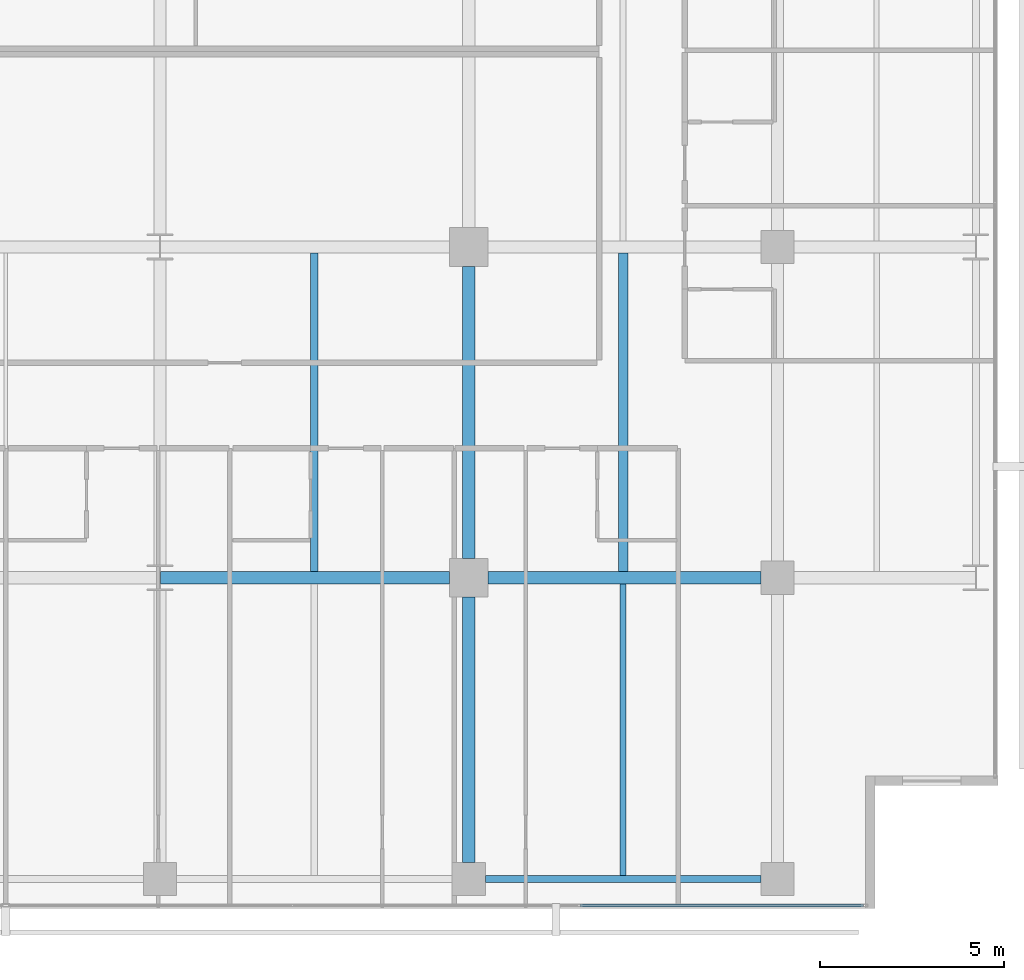
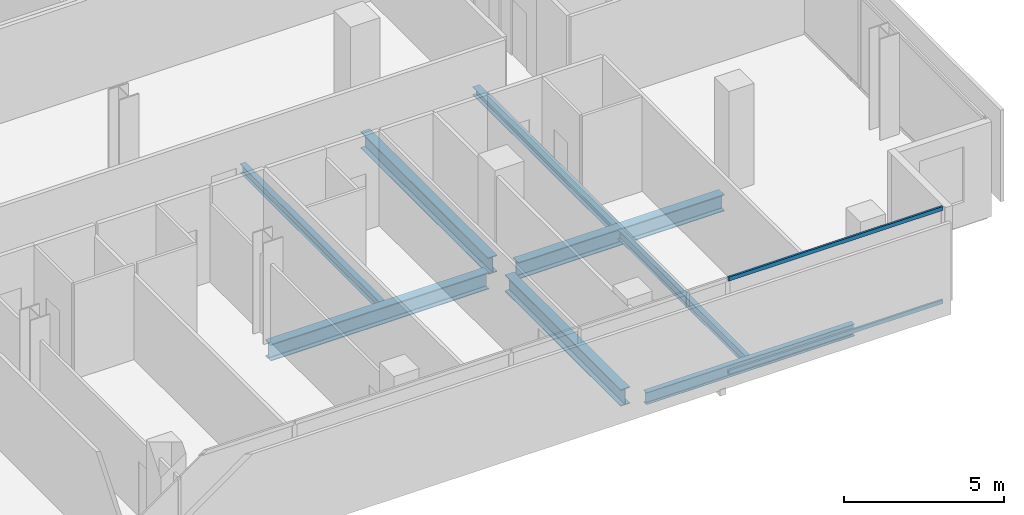
# One storey, part 15 of 40: 8 beams, 2 members, 1 element without a shape of its own.
"""IFC4 building model written with IfcOpenShell, lengths in metres."""

from ifc_helpers import new_model, si_unit, direction, frame, origin, origin_2d, place, context, subcontext, project, spatial, hollow_rectangle, i_section, extrude, material, layer, layer_set, material_profile, profile_set, type_object, element, aggregate, save


model = new_model("IFC4")

# Units and contexts
model_context = context("Model", 3, precision=1e-05, world=origin(), true_north=direction((0.0, 1.0)))
body_context = subcontext(model_context, "Body", "Model", "MODEL_VIEW")
ifc_project = project(units=[si_unit("LENGTHUNIT", "METRE"), si_unit("AREAUNIT", "SQUARE_METRE"), si_unit("VOLUMEUNIT", "CUBIC_METRE"), si_unit("PLANEANGLEUNIT", "RADIAN"), si_unit("MASSUNIT", "GRAM", prefix="KILO")], contexts=[model_context])

# Site, building, storey
site_placement = place(None, origin())
site = spatial("IfcSite", under=ifc_project, at=site_placement, CompositionType="ELEMENT")
building_placement = place(site_placement, origin())
building = spatial("IfcBuilding", under=site, at=building_placement, Name="Maruvema Waterfront Hotel and Observation Tower", CompositionType="ELEMENT")
storey_placement = place(building_placement, frame((0.0, 0.0, 30.800048828125)))
storey = spatial("IfcBuildingStorey", under=building, at=storey_placement, Name="L06", CompositionType="ELEMENT", Elevation=30.800048828125)

# Curtain wall, members
ifc_material_1 = material(Name="Anodised bronze aluminium and solar-control low-E IGU", Category="aluminium")
ifc_layer = layer(ifc_material_1, 0.159912109375, Name="Zone 1 Bronze Inner Thermal Curtain Wall System CW-02")
ifc_layer_set = layer_set([ifc_layer], Name="Anodised bronze aluminium and solar-control low-E IGU")
curtain_wall_type = type_object("IfcCurtainWallType", Name="Zone 1 Bronze Inner Thermal Curtain Wall System CW-02", PredefinedType="USERDEFINED", material=ifc_layer_set)
curtain_wall_placement = place(storey_placement, origin())
curtain_wall = element("IfcCurtainWall", 1, at=curtain_wall_placement, inside=storey, type_object=curtain_wall_type, Name="L06 Curtain Wall CW-L06-S", ObjectType="UNITISED CURTAIN WALL", PredefinedType="USERDEFINED")
ifc_material_2 = material(Name="Anodised architectural bronze aluminium", Category="aluminium")
ifc_material_profile_1 = material_profile(ifc_material_2, hollow_rectangle(XDim=0.070068359375, YDim=0.14990234375, WallThickness=0.00390625, at=origin_2d()), Name="ALU-T70x150")
ifc_profile_set_1 = profile_set([ifc_material_profile_1], Name="Anodised architectural bronze aluminium")
member_type = type_object("IfcMemberType", Name="Curtain Wall Horizontal Transom ALU-T70x150", PredefinedType="USERDEFINED", material=ifc_profile_set_1)
member_1_placement = place(storey_placement, frame((53.429931640625, 0.080078125, 0.030029296875), z_axis=(1.0, 0.0, 0.0), x_axis=(0.0, 1.0, 0.0)))
member_1 = element("IfcMember", 2, at=member_1_placement, type_object=member_type, Name="CW-02 transom 6.1", ObjectType="TRANSOM", PredefinedType="USERDEFINED", context=body_context, shape_type="SweptSolid", body=[
    extrude(hollow_rectangle(XDim=0.070068359375, YDim=0.14990234375, WallThickness=0.00390625, at=origin_2d()), origin(), (0.0, 0.0, 1.0), 7.7099609375),
])
member_2_placement = place(storey_placement, frame((53.429931640625, 0.080078125, 3.579833984375), z_axis=(1.0, 0.0, 0.0), x_axis=(0.0, 1.0, 0.0)))
member_2 = element("IfcMember", 3, at=member_2_placement, type_object=member_type, Name="CW-02 transom 6.2", ObjectType="TRANSOM", PredefinedType="USERDEFINED", context=body_context, shape_type="SweptSolid", body=[
    extrude(hollow_rectangle(XDim=0.070068359375, YDim=0.14990234375, WallThickness=0.00390625, at=origin_2d()), origin(), (0.0, 0.0, 1.0), 7.7099609375),
])
aggregate(curtain_wall, [member_1, member_2])

# Beams
ifc_material_3 = material(Name="Steel ASTM A572 Grade 50", Category="steel")
ifc_material_profile_2 = material_profile(ifc_material_3, i_section(OverallWidth=0.18994140625, OverallDepth=0.45703125, WebThickness=0.009033203125, FlangeThickness=0.014404296875, FilletRadius=0.014892578125, at=origin_2d()), Name="W460x74.0")
ifc_profile_set_2 = profile_set([ifc_material_profile_2], Name="Steel ASTM A572 Grade 50")
beam_type_1 = type_object("IfcBeamType", Name="Perimeter Spandrel Beam W460x74.0", PredefinedType="SPANDREL", material=ifc_profile_set_2)
beam_1_placement = place(storey_placement, frame((50.85009765625, 0.800048828125, -0.468505859375), z_axis=(1.0, 0.0, 0.0), x_axis=(0.0, 1.0, 0.0)))
element("IfcBeam", 4, at=beam_1_placement, inside=storey, type_object=beam_type_1, Name="L06 Floor Girder EW-05", PredefinedType="SPANDREL", context=body_context, shape_type="SweptSolid", body=[
    extrude(i_section(OverallWidth=0.18994140625, OverallDepth=0.45703125, WebThickness=0.009033203125, FlangeThickness=0.014404296875, FilletRadius=0.014892578125, at=origin_2d()), origin(), (0.0, 0.0, 1.0), 7.5),
])
ifc_material_4 = material(Name="Steel ASTM A572 Grade 50", Category="steel")
ifc_material_profile_3 = material_profile(ifc_material_4, i_section(OverallWidth=0.3291015625, OverallDepth=0.635009765625, WebThickness=0.017822265625, FlangeThickness=0.031005859375, FilletRadius=0.01806640625, at=origin_2d()), Name="W610x241.0")
ifc_profile_set_3 = profile_set([ifc_material_profile_3], Name="Steel ASTM A572 Grade 50")
beam_type_2 = type_object("IfcBeamType", Name="Primary Floor Girder W610x241.0", PredefinedType="BEAM", material=ifc_profile_set_3)
beam_2_placement = place(storey_placement, frame((42.013916015625, 9.0, -0.5576171875), z_axis=(1.0, 0.0, 0.0), x_axis=(0.0, 1.0, 0.0)))
element("IfcBeam", 5, at=beam_2_placement, inside=storey, type_object=beam_type_2, Name="L06 Floor Girder EW-10", PredefinedType="BEAM", context=body_context, shape_type="SweptSolid", body=[
    extrude(i_section(OverallWidth=0.3291015625, OverallDepth=0.635009765625, WebThickness=0.017822265625, FlangeThickness=0.031005859375, FilletRadius=0.01806640625, at=origin_2d()), origin(), (0.0, 0.0, 1.0), 7.861083984375),
])
beam_3_placement = place(storey_placement, frame((50.925048828125, 9.0, -0.5576171875), z_axis=(1.0, 0.0, 0.0), x_axis=(0.0, 1.0, 0.0)))
element("IfcBeam", 6, at=beam_3_placement, inside=storey, type_object=beam_type_2, Name="L06 Floor Girder EW-11", PredefinedType="BEAM", context=body_context, shape_type="SweptSolid", body=[
    extrude(i_section(OverallWidth=0.3291015625, OverallDepth=0.635009765625, WebThickness=0.017822265625, FlangeThickness=0.031005859375, FilletRadius=0.01806640625, at=origin_2d()), origin(), (0.0, 0.0, 1.0), 7.425048828125),
])
beam_4_placement = place(storey_placement, frame((50.39990234375, 1.25, -0.5576171875), z_axis=(0.0, 1.0, 0.0), x_axis=(-1.0, 0.0, 0.0)))
element("IfcBeam", 7, at=beam_4_placement, inside=storey, type_object=beam_type_2, Name="L06 Floor Girder NS-22", PredefinedType="BEAM", context=body_context, shape_type="SweptSolid", body=[
    extrude(i_section(OverallWidth=0.3291015625, OverallDepth=0.635009765625, WebThickness=0.017822265625, FlangeThickness=0.031005859375, FilletRadius=0.01806640625, at=origin_2d()), origin(), (0.0, 0.0, 1.0), 7.22509765625),
])
beam_5_placement = place(storey_placement, frame((50.39990234375, 9.52490234375, -0.5576171875), z_axis=(0.0, 1.0, 0.0), x_axis=(-1.0, 0.0, 0.0)))
element("IfcBeam", 8, at=beam_5_placement, inside=storey, type_object=beam_type_2, Name="L06 Floor Girder NS-23", PredefinedType="BEAM", context=body_context, shape_type="SweptSolid", body=[
    extrude(i_section(OverallWidth=0.3291015625, OverallDepth=0.635009765625, WebThickness=0.017822265625, FlangeThickness=0.031005859375, FilletRadius=0.01806640625, at=origin_2d()), origin(), (0.0, 0.0, 1.0), 7.9501953125),
])
ifc_material_5 = material(Name="Steel ASTM A572 Grade 50", Category="steel")
ifc_material_profile_4 = material_profile(ifc_material_5, i_section(OverallWidth=0.25390625, OverallDepth=0.305908203125, WebThickness=0.0087890625, FlangeThickness=0.0146484375, FilletRadius=0.014892578125, at=origin_2d()), Name="W310x79.0")
ifc_profile_set_4 = profile_set([ifc_material_profile_4], Name="Steel ASTM A572 Grade 50")
beam_type_3 = type_object("IfcBeamType", Name="Secondary Floor Joist W310x79.0", PredefinedType="JOIST", material=ifc_profile_set_4)
beam_6_placement = place(storey_placement, frame((54.60009765625, 9.16455078125, -0.39306640625), z_axis=(0.0, 1.0, 0.0), x_axis=(-1.0, 0.0, 0.0)))
element("IfcBeam", 9, at=beam_6_placement, inside=storey, type_object=beam_type_3, Name="L06 Secondary Floor Joist JS-17", PredefinedType="JOIST", context=body_context, shape_type="SweptSolid", body=[
    extrude(i_section(OverallWidth=0.25390625, OverallDepth=0.305908203125, WebThickness=0.0087890625, FlangeThickness=0.0146484375, FilletRadius=0.014892578125, at=origin_2d()), origin(), (0.0, 0.0, 1.0), 8.6708984375),
])
ifc_material_6 = material(Name="Steel ASTM A572 Grade 50", Category="steel")
ifc_material_profile_5 = material_profile(ifc_material_6, i_section(OverallWidth=0.1708984375, OverallDepth=0.35498046875, WebThickness=0.007080078125, FlangeThickness=0.01171875, FilletRadius=0.014892578125, at=origin_2d()), Name="W360x51.0")
ifc_profile_set_5 = profile_set([ifc_material_profile_5], Name="Steel ASTM A572 Grade 50")
beam_type_4 = type_object("IfcBeamType", Name="Secondary Floor Joist W360x51.0", PredefinedType="JOIST", material=ifc_profile_set_5)
beam_7_placement = place(storey_placement, frame((54.60009765625, 0.89501953125, -0.41748046875), z_axis=(0.0, 1.0, 0.0), x_axis=(-1.0, 0.0, 0.0)))
element("IfcBeam", 10, at=beam_7_placement, inside=storey, type_object=beam_type_4, Name="L06 Secondary Floor Joist JS-16", PredefinedType="JOIST", context=body_context, shape_type="SweptSolid", body=[
    extrude(i_section(OverallWidth=0.1708984375, OverallDepth=0.35498046875, WebThickness=0.007080078125, FlangeThickness=0.01171875, FilletRadius=0.014892578125, at=origin_2d()), origin(), (0.0, 0.0, 1.0), 7.9404296875),
])
ifc_material_7 = material(Name="Steel ASTM A572 Grade 50", Category="steel")
ifc_material_profile_6 = material_profile(ifc_material_7, i_section(OverallWidth=0.202880859375, OverallDepth=0.346923828125, WebThickness=0.0078125, FlangeThickness=0.013427734375, FilletRadius=0.014892578125, at=origin_2d()), Name="W360x64.0")
ifc_profile_set_6 = profile_set([ifc_material_profile_6], Name="Steel ASTM A572 Grade 50")
beam_type_5 = type_object("IfcBeamType", Name="Secondary Floor Joist W360x64.0", PredefinedType="JOIST", material=ifc_profile_set_6)
beam_8_placement = place(storey_placement, frame((46.199951171875, 9.16455078125, -0.41357421875), z_axis=(0.0, 1.0, 0.0), x_axis=(-1.0, 0.0, 0.0)))
element("IfcBeam", 11, at=beam_8_placement, inside=storey, type_object=beam_type_5, Name="L06 Secondary Floor Joist JS-15", PredefinedType="JOIST", context=body_context, shape_type="SweptSolid", body=[
    extrude(i_section(OverallWidth=0.202880859375, OverallDepth=0.346923828125, WebThickness=0.0078125, FlangeThickness=0.013427734375, FilletRadius=0.014892578125, at=origin_2d()), origin(), (0.0, 0.0, 1.0), 8.6708984375),
])

save(model, "model.ifc")
